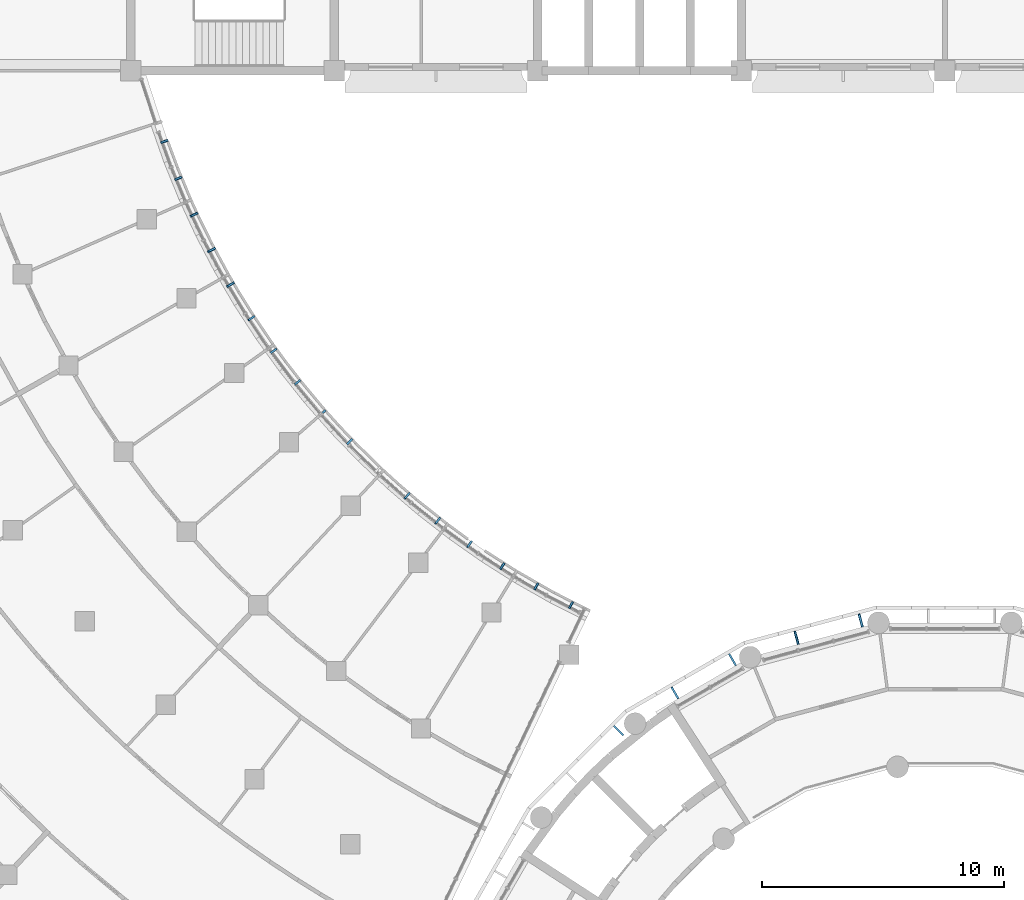
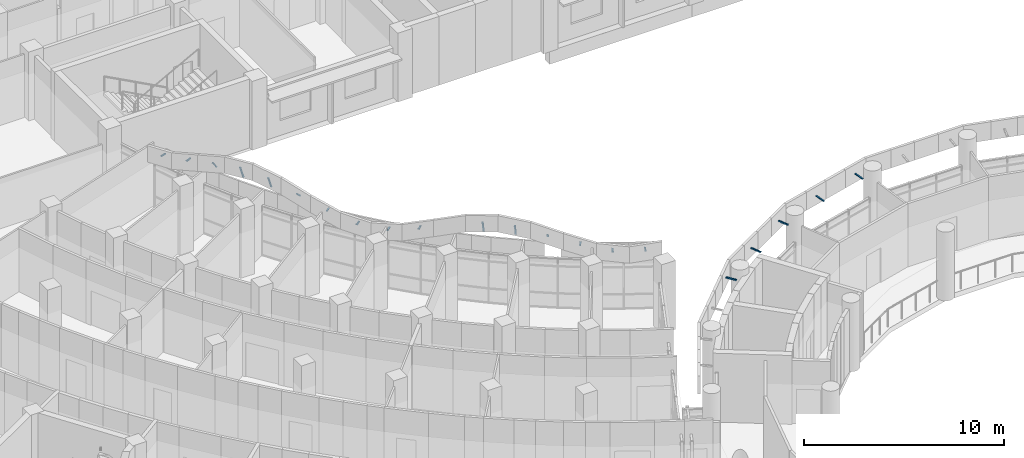
# One storey, part 88 of 109: 21 discrete accessories.
"""IFC4 building model written with IfcOpenShell, lengths in metres."""

from ifc_helpers import new_model, si_unit, direction, frame, origin, origin_2d, place, context, subcontext, project, spatial, rectangle, extrude, material, material_profile, profile_set, type_object, element, save


model = new_model("IFC4")

# Units and contexts
model_context = context("Model", 3, precision=1e-05, world=origin(), true_north=direction((0.0, 1.0)))
body_context = subcontext(model_context, "Body", "Model", "MODEL_VIEW")
ifc_project = project(units=[si_unit("LENGTHUNIT", "METRE"), si_unit("AREAUNIT", "SQUARE_METRE"), si_unit("VOLUMEUNIT", "CUBIC_METRE"), si_unit("PLANEANGLEUNIT", "RADIAN"), si_unit("MASSUNIT", "GRAM", prefix="KILO")], contexts=[model_context])

# Site, building, storey
site_placement = place(None, origin())
site = spatial("IfcSite", under=ifc_project, at=site_placement, CompositionType="ELEMENT")
building_placement = place(site_placement, origin())
building = spatial("IfcBuilding", under=site, at=building_placement, Name="Bougainvillea Quay General Hospital", CompositionType="ELEMENT")
storey_placement = place(building_placement, frame((0.0, 0.0, 12.60009765625)))
storey = spatial("IfcBuildingStorey", under=building, at=storey_placement, Name="L02", CompositionType="ELEMENT", Elevation=12.60009765625)

# Discrete accessories
ifc_material = material(Name="Stainless steel bracket, grade 316", Category="steel")
ifc_material_profile = material_profile(ifc_material, rectangle(XDim=0.080078125, YDim=0.050048828125, at=origin_2d()))
ifc_profile_set = profile_set([ifc_material_profile], Name="Stainless steel bracket, grade 316")
discrete_accessory_type = type_object("IfcDiscreteAccessoryType", Name="Stainless steel stand-off bracket 80x50", PredefinedType="BRACKET", material=ifc_profile_set)
discrete_accessory_1_placement = place(storey_placement, frame((93.839111328125, 95.6787109375, 3.525146484375), z_axis=(-0.451766148792, -0.892136394732, 0.0), x_axis=(0.892136394732, -0.451766148792, 0.0)))
element("IfcDiscreteAccessory", 1, at=discrete_accessory_1_placement, inside=storey, type_object=discrete_accessory_type, Name="Fascia bracket a11 1", PredefinedType="BRACKET", context=body_context, shape_type="SweptSolid", body=[
    extrude(rectangle(XDim=0.080078125, YDim=0.050048828125, at=origin_2d()), origin(), (0.0, 0.0, 1.0), 0.300048828125),
])
for number, where, z_axis, x_axis, name in (
    (2, (92.40966796875, 96.4462890625, 3.50634765625), (-0.494121290089, -0.869392978279, 0.0), (0.869392978279, -0.494121290089, 0.0), "Fascia bracket a11 2"),
    (3, (91.018310546875, 97.28125, 3.888427734375), (-0.534819664532, -0.844966227982, 0.0), (0.844966227982, -0.534819664532, 0.0), "Fascia bracket a11 3"),
):
    element("IfcDiscreteAccessory", number, at=place(storey_placement, frame(where, z_axis=z_axis, x_axis=x_axis)), inside=storey, type_object=discrete_accessory_type, Name=name, PredefinedType="BRACKET", context=body_context, shape_type="SweptSolid", body=[
        extrude(rectangle(XDim=0.080078125, YDim=0.050048828125, at=origin_2d()), origin(), (0.0, 0.0, 1.0), 0.2998046875),
    ])
discrete_accessory_2_placement = place(storey_placement, frame((89.668701171875, 98.181640625, 4.139892578125), z_axis=(-0.399303707486, -0.568174723805, 0.719537373885), x_axis=(0.818160675661, -0.574989659734, 0.0)))
element("IfcDiscreteAccessory", 4, at=discrete_accessory_2_placement, inside=storey, type_object=discrete_accessory_type, Name="Fascia bracket a11 4", PredefinedType="BRACKET", context=body_context, shape_type="SweptSolid", body=[
    extrude(rectangle(XDim=0.080078125, YDim=0.050048828125, at=origin_2d()), origin(), (0.0, 0.0, 1.0), 0.432373046875),
])
discrete_accessory_3_placement = place(storey_placement, frame((88.36328125, 99.1455078125, 4.139892578125), z_axis=(-0.23340407516, -0.300976569695, 0.924627299074), x_axis=(0.790227844169, -0.61281314795, 0.0)))
element("IfcDiscreteAccessory", 5, at=discrete_accessory_3_placement, inside=storey, type_object=discrete_accessory_type, Name="Fascia bracket a11 5", PredefinedType="BRACKET", context=body_context, shape_type="SweptSolid", body=[
    extrude(rectangle(XDim=0.080078125, YDim=0.050048828125, at=origin_2d()), origin(), (0.0, 0.0, 1.0), 0.78759765625),
])
discrete_accessory_4_placement = place(storey_placement, frame((87.10546875, 100.17041015625, 4.139892578125), z_axis=(-0.239262504142, -0.279688584316, 0.929799844007), x_axis=(0.759887969129, -0.650054054962, 0.0)))
element("IfcDiscreteAccessory", 6, at=discrete_accessory_4_placement, inside=storey, type_object=discrete_accessory_type, Name="Fascia bracket a11 6", PredefinedType="BRACKET", context=body_context, shape_type="SweptSolid", body=[
    extrude(rectangle(XDim=0.080078125, YDim=0.050048828125, at=origin_2d()), origin(), (0.0, 0.0, 1.0), 0.815185546875),
])
discrete_accessory_5_placement = place(storey_placement, frame((84.74365234375, 102.394287109375, 3.9609375), z_axis=(-0.719611825781, -0.694376569447, 0.0), x_axis=(0.694376569447, -0.719611825781, 0.0)))
element("IfcDiscreteAccessory", 7, at=discrete_accessory_5_placement, inside=storey, type_object=discrete_accessory_type, Name="Fascia bracket a11 8", PredefinedType="BRACKET", context=body_context, shape_type="SweptSolid", body=[
    extrude(rectangle(XDim=0.080078125, YDim=0.050048828125, at=origin_2d()), origin(), (0.0, 0.0, 1.0), 0.2998046875),
])
for number, where, z_axis, x_axis, name in (
    (8, (83.64501953125, 103.58837890625, 3.537353515625), (-0.751971412186, -0.659195718475, 0.0), (0.659195718475, -0.751971412186, 0.0), "Fascia bracket a11 9"),
    (9, (82.604736328125, 104.83349609375, 3.497802734375), (-0.78269113231, -0.622410307918, 0.0), (0.622410307918, -0.78269113231, 0.0), "Fascia bracket a11 10"),
    (10, (81.624755859375, 106.126708984375, 3.865234375), (-0.81147258578, -0.584390488054, 0.0), (0.584390488054, -0.81147258578, 0.0), "Fascia bracket a11 11"),
):
    element("IfcDiscreteAccessory", number, at=place(storey_placement, frame(where, z_axis=z_axis, x_axis=x_axis)), inside=storey, type_object=discrete_accessory_type, Name=name, PredefinedType="BRACKET", context=body_context, shape_type="SweptSolid", body=[
        extrude(rectangle(XDim=0.080078125, YDim=0.050048828125, at=origin_2d()), origin(), (0.0, 0.0, 1.0), 0.300048828125),
    ])
discrete_accessory_6_placement = place(storey_placement, frame((80.707763671875, 107.46533203125, 4.139892578125), z_axis=(-0.605837807681, -0.394088671016, 0.691125654394), x_axis=(0.545274379459, -0.838257628123, 0.0)))
element("IfcDiscreteAccessory", 11, at=discrete_accessory_6_placement, inside=storey, type_object=discrete_accessory_type, Name="Fascia bracket a11 12", PredefinedType="BRACKET", context=body_context, shape_type="SweptSolid", body=[
    extrude(rectangle(XDim=0.080078125, YDim=0.050048828125, at=origin_2d()), origin(), (0.0, 0.0, 1.0), 0.4150390625),
])
discrete_accessory_7_placement = place(storey_placement, frame((79.855712890625, 108.84619140625, 4.139892578125), z_axis=(-0.333074941793, -0.194817418785, 0.922554744439), x_axis=(0.504883315038, -0.863187603129, 0.0)))
element("IfcDiscreteAccessory", 12, at=discrete_accessory_7_placement, inside=storey, type_object=discrete_accessory_type, Name="Fascia bracket a11 13", PredefinedType="BRACKET", context=body_context, shape_type="SweptSolid", body=[
    extrude(rectangle(XDim=0.080078125, YDim=0.050048828125, at=origin_2d()), origin(), (0.0, 0.0, 1.0), 0.77685546875),
])
discrete_accessory_8_placement = place(storey_placement, frame((79.070556640625, 110.26611328125, 4.139892578125), z_axis=(-0.323147876091, -0.168844023412, 0.93116440328), x_axis=(0.463094398528, -0.886308963089, 0.0)))
element("IfcDiscreteAccessory", 13, at=discrete_accessory_8_placement, inside=storey, type_object=discrete_accessory_type, Name="Fascia bracket a11 14", PredefinedType="BRACKET", context=body_context, shape_type="SweptSolid", body=[
    extrude(rectangle(XDim=0.080078125, YDim=0.050048828125, at=origin_2d()), origin(), (0.0, 0.0, 1.0), 0.82275390625),
])
discrete_accessory_9_placement = place(storey_placement, frame((78.35400390625, 111.7216796875, 4.139892578125), z_axis=(-0.539267525646, -0.249562370613, 0.804306632421), x_axis=(0.419987027507, -0.907530107889, 0.0)))
element("IfcDiscreteAccessory", 14, at=discrete_accessory_9_placement, inside=storey, type_object=discrete_accessory_type, Name="Fascia bracket a11 15", PredefinedType="BRACKET", context=body_context, shape_type="SweptSolid", body=[
    extrude(rectangle(XDim=0.080078125, YDim=0.050048828125, at=origin_2d()), origin(), (0.0, 0.0, 1.0), 0.5048828125),
])
discrete_accessory_10_placement = place(storey_placement, frame((77.707763671875, 113.2099609375, 3.9853515625), z_axis=(-0.926555273516, -0.376158643554, 0.0), x_axis=(0.376158643554, -0.926555273516, 0.0)))
element("IfcDiscreteAccessory", 15, at=discrete_accessory_10_placement, inside=storey, type_object=discrete_accessory_type, Name="Fascia bracket a11 16", PredefinedType="BRACKET", context=body_context, shape_type="SweptSolid", body=[
    extrude(rectangle(XDim=0.080078125, YDim=0.050048828125, at=origin_2d()), origin(), (0.0, 0.0, 1.0), 0.2998046875),
])
discrete_accessory_11_placement = place(storey_placement, frame((77.13330078125, 114.7275390625, 3.54931640625), z_axis=(-0.943260473244, -0.332053730012, 0.0), x_axis=(0.332053730012, -0.943260473244, 0.0)))
element("IfcDiscreteAccessory", 16, at=discrete_accessory_11_placement, inside=storey, type_object=discrete_accessory_type, Name="Fascia bracket a11 17", PredefinedType="BRACKET", context=body_context, shape_type="SweptSolid", body=[
    extrude(rectangle(XDim=0.080078125, YDim=0.050048828125, at=origin_2d()), origin(), (0.0, 0.0, 1.0), 0.300048828125),
])
for number, where, z_axis, x_axis, name in (
    (17, (105.797119140625, 94.642578125, 4.139892578125), (-0.257265896735, 0.96022399879, 0.108554735157), (-0.965932200741, -0.258795254151, 0.0), "Fascia bracket e1 27"),
    (18, (103.149658203125, 93.93310546875, 4.139892578125), (-0.257265896735, 0.96022399879, 0.108554735157), (-0.965932200741, -0.258795254151, 0.0), "Fascia bracket e1 29"),
):
    element("IfcDiscreteAccessory", number, at=place(storey_placement, frame(where, z_axis=z_axis, x_axis=x_axis)), inside=storey, type_object=discrete_accessory_type, Name=name, PredefinedType="BRACKET", context=body_context, shape_type="SweptSolid", body=[
        extrude(rectangle(XDim=0.080078125, YDim=0.050048828125, at=origin_2d()), origin(), (0.0, 0.0, 1.0), 0.55322265625),
    ])
discrete_accessory_12_placement = place(storey_placement, frame((100.570556640625, 93.058349609375, 4.139892578125), z_axis=(-0.497241294851, 0.860796598273, 0.108537141556), x_axis=(-0.865912065108, -0.500196256984, 0.0)))
element("IfcDiscreteAccessory", 19, at=discrete_accessory_12_placement, inside=storey, type_object=discrete_accessory_type, Name="Fascia bracket e1 31", PredefinedType="BRACKET", context=body_context, shape_type="SweptSolid", body=[
    extrude(rectangle(XDim=0.080078125, YDim=0.050048828125, at=origin_2d()), origin(), (0.0, 0.0, 1.0), 0.553466796875),
])
for number, where, z_axis, x_axis, name in (
    (20, (98.196533203125, 91.68798828125, 4.139892578125), (-0.496909065825, 0.860985424, 0.108560950438), (-0.866104278045, -0.499863360881, 0.0), "Fascia bracket e1 33"),
    (21, (95.931396484375, 90.175537109375, 4.139892578125), (-0.702928468265, 0.702928468265, 0.108550158941), (-0.707106781187, -0.707106781187, 0.0), "Fascia bracket e1 35"),
):
    element("IfcDiscreteAccessory", number, at=place(storey_placement, frame(where, z_axis=z_axis, x_axis=x_axis)), inside=storey, type_object=discrete_accessory_type, Name=name, PredefinedType="BRACKET", context=body_context, shape_type="SweptSolid", body=[
        extrude(rectangle(XDim=0.080078125, YDim=0.050048828125, at=origin_2d()), origin(), (0.0, 0.0, 1.0), 0.55322265625),
    ])

save(model, "model.ifc")
